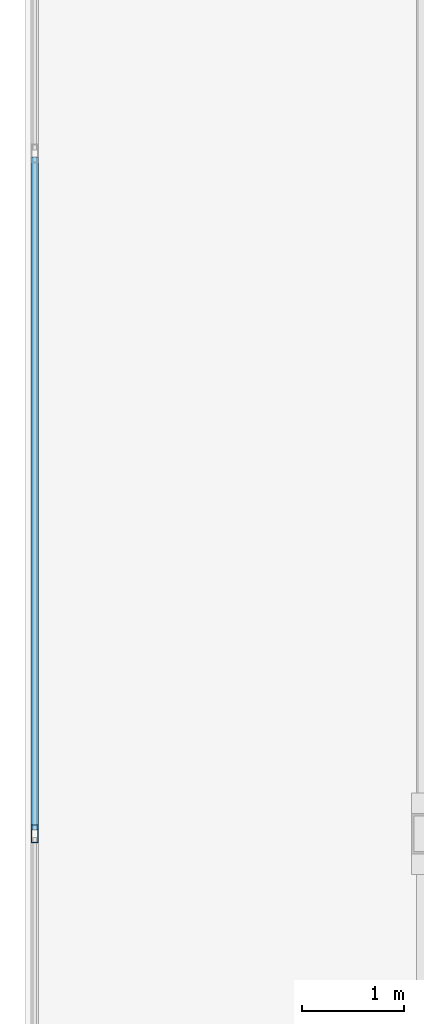
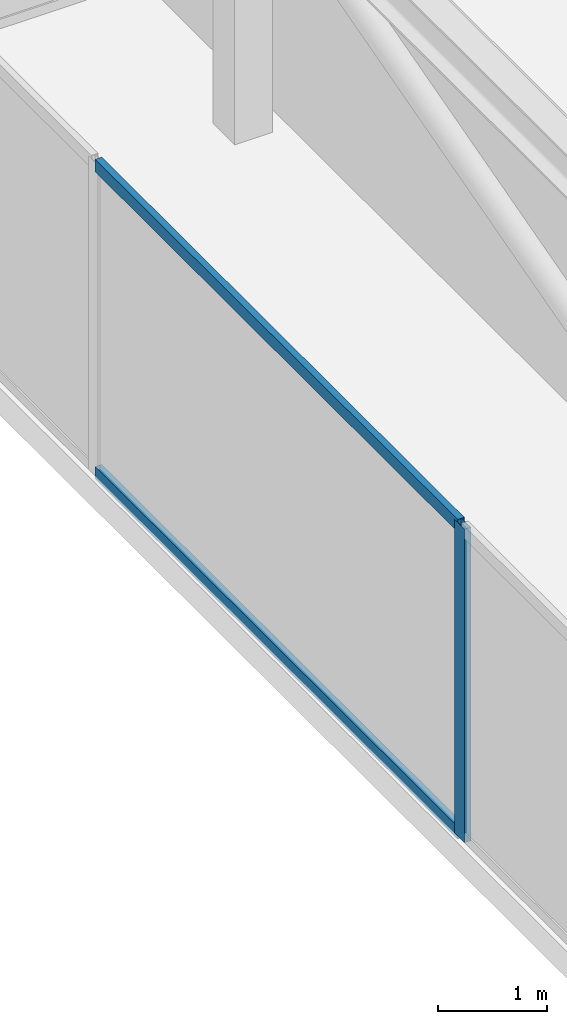
# One storey, part 8 of 25: 3 members, 1 element without a shape of its own.
"""IFC4 building model written with IfcOpenShell, lengths in metres."""

from ifc_helpers import new_model, si_unit, direction, frame, origin, origin_2d, place, context, subcontext, project, spatial, hollow_rectangle, extrude, source, transform, mapped, material, material_profile, profile_set, type_object, type_shapes, element, aggregate, save


model = new_model("IFC4")

# Units and contexts
model_context = context("Model", 3, precision=1e-05, world=origin(), true_north=direction((0.0, 1.0)))
body_context = subcontext(model_context, "Body", "Model", "MODEL_VIEW")
ifc_project = project(units=[si_unit("LENGTHUNIT", "METRE"), si_unit("AREAUNIT", "SQUARE_METRE"), si_unit("VOLUMEUNIT", "CUBIC_METRE"), si_unit("PLANEANGLEUNIT", "RADIAN"), si_unit("MASSUNIT", "GRAM", prefix="KILO")], contexts=[model_context])

# Site, building, storey
site_placement = place(None, origin())
site = spatial("IfcSite", under=ifc_project, at=site_placement, CompositionType="ELEMENT")
building_placement = place(site_placement, origin())
building = spatial("IfcBuilding", under=site, at=building_placement, Name="Krantzveldt Concourse Tower", CompositionType="ELEMENT")
storey_placement = place(building_placement, frame((0.0, 0.0, 370.85009765625)))
storey = spatial("IfcBuildingStorey", under=building, at=storey_placement, Name="L91", CompositionType="ELEMENT", Elevation=370.85009765625)

# Curtain wall, members
ifc_material = material(Name="Anodised aluminium 6063-T6", Category="aluminium")
curtain_wall_type = type_object("IfcCurtainWallType", Name="CW7", PredefinedType="USERDEFINED", material=ifc_material)
curtain_wall_placement = place(storey_placement, origin())
curtain_wall = element("IfcCurtainWall", 1, at=curtain_wall_placement, inside=storey, type_object=curtain_wall_type, Name="CW-L91-WEST-05", ObjectType="UNITISED CURTAIN WALL", PredefinedType="USERDEFINED")
ifc_material_profile_1 = material_profile(ifc_material, hollow_rectangle(XDim=0.070068359375, YDim=0.139892578125, WallThickness=0.0048828125, at=origin_2d()), Name="Anodised aluminium 6063-T6", Category="aluminium")
ifc_profile_set_1 = profile_set([ifc_material_profile_1], Name="Anodised aluminium 6063-T6 - ALU-TRAN 140x70x5")
member_type_1 = type_object("IfcMemberType", Name="CW-TRN-150", PredefinedType="USERDEFINED", material=ifc_profile_set_1)
shared_shape_1 = source(origin(), body_context, "Body", "SweptSolid", [
    extrude(hollow_rectangle(XDim=0.070068359375, YDim=0.139892578125, WallThickness=0.0048828125, at=origin_2d()), origin(), (0.0, 0.0, 1.0), 6.6298828125),
])
type_shapes(member_type_1, [shared_shape_1])
member_1_placement = place(storey_placement, frame((17.090087890625, 33.364990234375, 0.034912109375), z_axis=(0.0, -1.0, 0.0), x_axis=(1.0, 0.0, 0.0)))
member_1 = element("IfcMember", 2, at=member_1_placement, type_object=member_type_1, Name="CW-CRN transom 2.1", ObjectType="TRANSOM", PredefinedType="USERDEFINED", context=body_context, shape_type="MappedRepresentation", body=[
    mapped(shared_shape_1, transform((0.0, 0.0, 0.0), x_axis=(1.0, 0.0, 0.0), y_axis=(0.0, 1.0, 0.0), z_axis=(0.0, 0.0, 1.0), scale=1.0)),
])
member_2_placement = place(storey_placement, frame((17.090087890625, 33.364990234375, 3.46484375), z_axis=(0.0, -1.0, 0.0), x_axis=(1.0, 0.0, 0.0)))
member_2 = element("IfcMember", 3, at=member_2_placement, type_object=member_type_1, Name="CW-CRN transom 2.2", ObjectType="TRANSOM", PredefinedType="USERDEFINED", context=body_context, shape_type="MappedRepresentation", body=[
    mapped(shared_shape_1, transform((0.0, 0.0, 0.0), x_axis=(1.0, 0.0, 0.0), y_axis=(0.0, 1.0, 0.0), z_axis=(0.0, 0.0, 1.0), scale=1.0)),
])
ifc_material_profile_2 = material_profile(ifc_material, hollow_rectangle(XDim=0.070068359375, YDim=0.179931640625, WallThickness=0.0048828125, at=origin_2d()), Name="Anodised aluminium 6063-T6", Category="aluminium")
ifc_profile_set_2 = profile_set([ifc_material_profile_2], Name="Anodised aluminium 6063-T6 - ALU-MULL 180x70x5")
member_type_2 = type_object("IfcMemberType", Name="CW-MUL-180", PredefinedType="MULLION", material=ifc_profile_set_2)
shared_shape_2 = source(origin(), body_context, "Body", "SweptSolid", [
    extrude(hollow_rectangle(XDim=0.070068359375, YDim=0.179931640625, WallThickness=0.0048828125, at=origin_2d()), origin(), (0.0, 0.0, 1.0), 3.5),
])
type_shapes(member_type_2, [shared_shape_2])
member_3_placement = place(storey_placement, frame((17.090087890625, 26.699951171875, 0.0), z_axis=(0.0, 0.0, 1.0), x_axis=(1.0, 0.0, 0.0)))
member_3 = element("IfcMember", 4, at=member_3_placement, type_object=member_type_2, Name="CW-CRN mullion 3", PredefinedType="MULLION", context=body_context, shape_type="MappedRepresentation", body=[
    mapped(shared_shape_2, transform((0.0, 0.0, 0.0), x_axis=(1.0, 0.0, 0.0), y_axis=(0.0, 1.0, 0.0), z_axis=(0.0, 0.0, 1.0), scale=1.0)),
])
aggregate(curtain_wall, [member_3, member_1, member_2])

save(model, "model.ifc")
